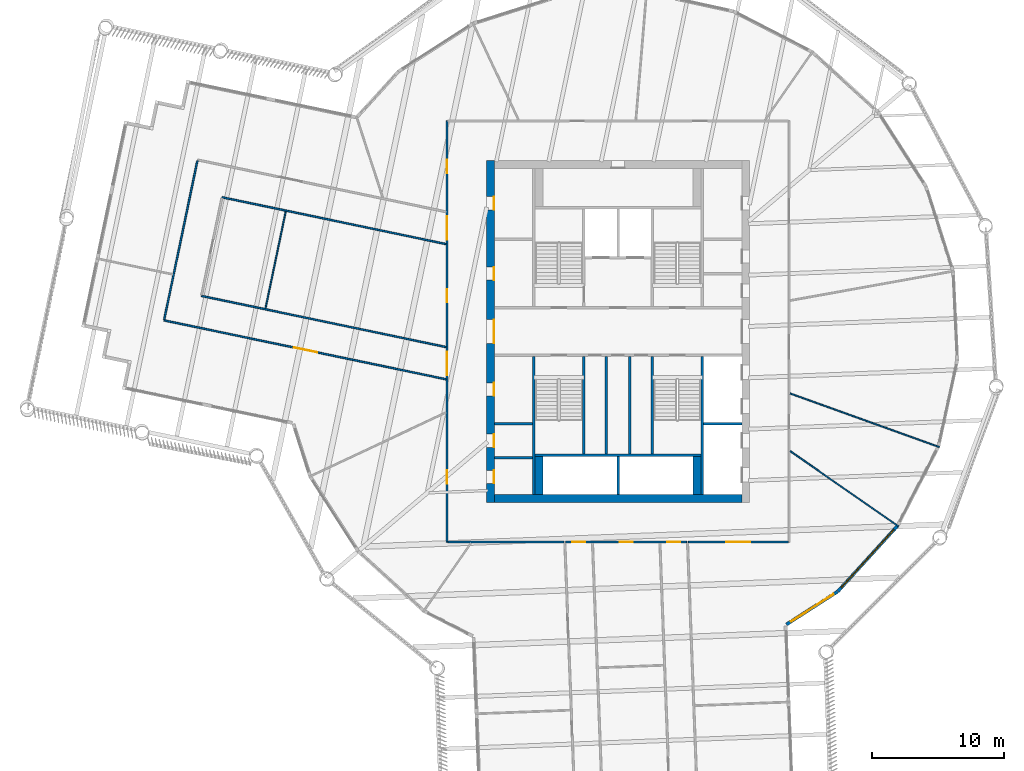
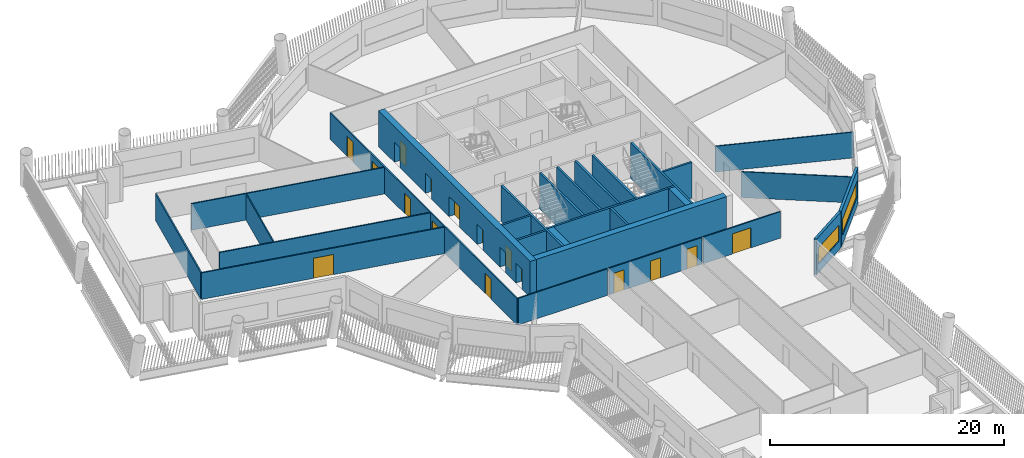
# One storey, part 4 of 14: 28 walls, 16 doors, 2 windows, 18 openings.
"""IFC4 building model written with IfcOpenShell, lengths in metres."""

from ifc_helpers import new_model, si_unit, direction, frame, frame_2d, origin, place, context, subcontext, project, spatial, rectangle, extrude, material, layer, layer_set, type_object, element, fill, save


model = new_model("IFC4")

# Units and contexts
model_context = context("Model", 3, precision=1e-05, world=origin(), true_north=direction((0.0, 1.0)))
body_context = subcontext(model_context, "Body", "Model", "MODEL_VIEW")
ifc_project = project(units=[si_unit("LENGTHUNIT", "METRE"), si_unit("AREAUNIT", "SQUARE_METRE"), si_unit("VOLUMEUNIT", "CUBIC_METRE"), si_unit("PLANEANGLEUNIT", "RADIAN"), si_unit("MASSUNIT", "GRAM", prefix="KILO")], contexts=[model_context])

# Site, building, storey
site_placement = place(None, origin())
site = spatial("IfcSite", under=ifc_project, at=site_placement, CompositionType="ELEMENT")
building_placement = place(site_placement, origin())
building = spatial("IfcBuilding", under=site, at=building_placement, Name="Tarsis Ring Headquarters", CompositionType="ELEMENT")
storey_placement = place(building_placement, frame((0.0, 0.0, 235.5)))
storey = spatial("IfcBuildingStorey", under=building, at=storey_placement, Name="L55", CompositionType="ELEMENT", Elevation=235.5)

# Walls
ifc_material_1 = material(Name="Blockwork", Category="masonry")
ifc_layer_1 = layer(ifc_material_1, 0.199951171875)
ifc_layer_set_1 = layer_set([ifc_layer_1], Name="Core blockwork wall 200")
wall_type_1 = type_object("IfcWallType", Name="Core blockwork wall 200", PredefinedType="PARTITIONING", material=ifc_layer_set_1)
for number, where, z_axis, x_axis, name in (
    (1, (-9.39990234375, -9.60009765625, 0.0), (0.0, 0.0, 1.0), (1.0, 0.0, 0.0), "Core partition WD1"),
    (2, (-9.39990234375, -7.0, 0.0), (0.0, 0.0, 1.0), (1.0, 0.0, 0.0), "Core partition WD2"),
):
    element("IfcWall", number, at=place(storey_placement, frame(where, z_axis=z_axis, x_axis=x_axis)), inside=storey, type_object=wall_type_1, Name=name, PredefinedType="PARTITIONING", context=body_context, shape_type="SweptSolid", body=[
        extrude(rectangle(XDim=2.89990234375, YDim=0.199951171875, at=frame_2d((1.449951171875, 0.0))), origin(), (0.0, 0.0, 1.0), 3.739990234375),
    ])
for number, where, z_axis, x_axis, name in (
    (3, (-0.89990234375, -9.300048828125, 0.0), (0.0, 0.0, 1.0), (0.0, 1.0, 0.0), "Core partition SV1"),
    (4, (0.89990234375, -9.300048828125, 0.0), (0.0, 0.0, 1.0), (0.0, 1.0, 0.0), "Core partition SV2"),
):
    element("IfcWall", number, at=place(storey_placement, frame(where, z_axis=z_axis, x_axis=x_axis)), inside=storey, type_object=wall_type_1, Name=name, PredefinedType="PARTITIONING", context=body_context, shape_type="SweptSolid", body=[
        extrude(rectangle(XDim=7.400146484375, YDim=0.199951171875, at=frame_2d((3.7001953125, 0.0))), origin(), (0.0, 0.0, 1.0), 3.739990234375),
    ])

# Wall, openings, doors
ifc_material_2 = material(Name="Concrete C50/60", Category="concrete")
ifc_layer_2 = layer(ifc_material_2, 0.60009765625)
ifc_layer_set_2 = layer_set([ifc_layer_2], Name="Core wall 600 C50/60")
wall_type_2 = type_object("IfcWallType", Name="Core wall 600 C50/60", PredefinedType="SHEAR", material=ifc_layer_set_2)
wall_1_placement = place(storey_placement, frame((-9.699951171875, -13.0, 0.0), z_axis=(0.0, 0.0, 1.0), x_axis=(0.0, 1.0, 0.0)))
wall_1 = element("IfcWall", 5, at=wall_1_placement, inside=storey, type_object=wall_type_2, Name="Core wall OW", PredefinedType="SHEAR", context=body_context, shape_type="SweptSolid", body=[
    extrude(rectangle(XDim=26.0, YDim=0.60009765625, at=frame_2d((13.0, 0.0))), origin(), (0.0, 0.0, 1.0), 3.739990234375),
])
opening_1_placement = place(wall_1_placement, frame((1.449951171875, 0.0, 0.0)))
opening_1 = element("IfcOpeningElement", 6, at=opening_1_placement, cuts=wall_1, Name="Opening L55-C01", PredefinedType="OPENING", context=body_context, shape_type="SweptSolid", body=[
    extrude(rectangle(XDim=1.0, YDim=2.10009765625, at=frame_2d((0.5, 1.050048828125))), frame((0.0, 0.31005859375, 0.0), z_axis=(0.0, -1.0, 0.0), x_axis=(1.0, 0.0, 0.0)), (0.0, 0.0, 1.0), 0.6201171875),
])
opening_2_placement = place(wall_1_placement, frame((4.199951171875, 0.0, 0.0)))
opening_2 = element("IfcOpeningElement", 7, at=opening_2_placement, cuts=wall_1, Name="Opening L55-C02", PredefinedType="OPENING", context=body_context, shape_type="SweptSolid", body=[
    extrude(rectangle(XDim=1.0, YDim=2.10009765625, at=frame_2d((0.5, 1.050048828125))), frame((0.0, 0.31005859375, 0.0), z_axis=(0.0, -1.0, 0.0), x_axis=(1.0, 0.0, 0.0)), (0.0, 0.0, 1.0), 0.6201171875),
])
opening_3_placement = place(wall_1_placement, frame((8.10009765625, 0.0, 0.0)))
opening_3 = element("IfcOpeningElement", 8, at=opening_3_placement, cuts=wall_1, Name="Opening L55-C03", PredefinedType="OPENING", context=body_context, shape_type="SweptSolid", body=[
    extrude(rectangle(XDim=1.0, YDim=2.10009765625, at=frame_2d((0.5, 1.050048828125))), frame((0.0, 0.31005859375, 0.0), z_axis=(0.0, -1.0, 0.0), x_axis=(1.0, 0.0, 0.0)), (0.0, 0.0, 1.0), 0.6201171875),
])
opening_4_placement = place(wall_1_placement, frame((12.10009765625, 0.0, 0.0)))
opening_4 = element("IfcOpeningElement", 9, at=opening_4_placement, cuts=wall_1, Name="Opening L55-C04", PredefinedType="OPENING", context=body_context, shape_type="SweptSolid", body=[
    extrude(rectangle(XDim=1.800048828125, YDim=2.10009765625, at=frame_2d((0.89990234375, 1.050048828125))), frame((0.0, 0.31005859375, 0.0), z_axis=(0.0, -1.0, 0.0), x_axis=(1.0, 0.0, 0.0)), (0.0, 0.0, 1.0), 0.6201171875),
])
opening_5_placement = place(wall_1_placement, frame((16.89990234375, 0.0, 0.0)))
opening_5 = element("IfcOpeningElement", 10, at=opening_5_placement, cuts=wall_1, Name="Opening L55-C05", PredefinedType="OPENING", context=body_context, shape_type="SweptSolid", body=[
    extrude(rectangle(XDim=1.0, YDim=2.10009765625, at=frame_2d((0.5, 1.050048828125))), frame((0.0, 0.31005859375, 0.0), z_axis=(0.0, -1.0, 0.0), x_axis=(1.0, 0.0, 0.0)), (0.0, 0.0, 1.0), 0.6201171875),
])
opening_6_placement = place(wall_1_placement, frame((22.25, 0.0, 0.0)))
opening_6 = element("IfcOpeningElement", 11, at=opening_6_placement, cuts=wall_1, Name="Opening L55-C06", PredefinedType="OPENING", context=body_context, shape_type="SweptSolid", body=[
    extrude(rectangle(XDim=1.0, YDim=2.10009765625, at=frame_2d((0.5, 1.050048828125))), frame((0.0, 0.31005859375, 0.0), z_axis=(0.0, -1.0, 0.0), x_axis=(1.0, 0.0, 0.0)), (0.0, 0.0, 1.0), 0.6201171875),
])
ifc_material_3 = material(Name="Steel S355", Category="steel")
door_type_1 = type_object("IfcDoorType", Name="Core entry door 1800x2100", OperationType="DOUBLE_DOOR_SINGLE_SWING", PredefinedType="DOOR", material=ifc_material_3)
door_1_placement = place(opening_4_placement, origin())
door_1 = element("IfcDoor", 12, at=door_1_placement, inside=storey, type_object=door_type_1, Name="Core entry door L55", OperationType="DOUBLE_DOOR_SINGLE_SWING", OverallHeight=2.10009765625, OverallWidth=1.800048828125, PredefinedType="DOOR", context=body_context, shape_type="SweptSolid", body=[
    extrude(rectangle(XDim=1.800048828125, YDim=2.10009765625, at=frame_2d((0.89990234375, 1.050048828125))), frame((0.0, -0.25, 0.0), z_axis=(0.0, -1.0, 0.0), x_axis=(1.0, 0.0, 0.0)), (0.0, 0.0, 1.0), 0.050048828125),
])
fill(opening_4, door_1)
door_type_2 = type_object("IfcDoorType", Name="Core room door 1000x2100", OperationType="SINGLE_SWING_LEFT", PredefinedType="DOOR", material=ifc_material_3)
door_2_placement = place(opening_1_placement, origin())
door_2 = element("IfcDoor", 13, at=door_2_placement, inside=storey, type_object=door_type_2, Name="Core room door L55", OperationType="SINGLE_SWING_LEFT", OverallHeight=2.10009765625, OverallWidth=1.0, PredefinedType="DOOR", context=body_context, shape_type="SweptSolid", body=[
    extrude(rectangle(XDim=1.0, YDim=2.10009765625, at=frame_2d((0.5, 1.050048828125))), frame((0.0, -0.25, 0.0), z_axis=(0.0, -1.0, 0.0), x_axis=(1.0, 0.0, 0.0)), (0.0, 0.0, 1.0), 0.050048828125),
])
fill(opening_1, door_2)
door_3_placement = place(opening_2_placement, origin())
door_3 = element("IfcDoor", 14, at=door_3_placement, inside=storey, type_object=door_type_2, Name="Core room door L55", OperationType="SINGLE_SWING_LEFT", OverallHeight=2.10009765625, OverallWidth=1.0, PredefinedType="DOOR", context=body_context, shape_type="SweptSolid", body=[
    extrude(rectangle(XDim=1.0, YDim=2.10009765625, at=frame_2d((0.5, 1.050048828125))), frame((0.0, -0.25, 0.0), z_axis=(0.0, -1.0, 0.0), x_axis=(1.0, 0.0, 0.0)), (0.0, 0.0, 1.0), 0.050048828125),
])
fill(opening_2, door_3)
door_4_placement = place(opening_3_placement, origin())
door_4 = element("IfcDoor", 15, at=door_4_placement, inside=storey, type_object=door_type_2, Name="Core room door L55", OperationType="SINGLE_SWING_LEFT", OverallHeight=2.10009765625, OverallWidth=1.0, PredefinedType="DOOR", context=body_context, shape_type="SweptSolid", body=[
    extrude(rectangle(XDim=1.0, YDim=2.10009765625, at=frame_2d((0.5, 1.050048828125))), frame((0.0, -0.25, 0.0), z_axis=(0.0, -1.0, 0.0), x_axis=(1.0, 0.0, 0.0)), (0.0, 0.0, 1.0), 0.050048828125),
])
fill(opening_3, door_4)
door_5_placement = place(opening_5_placement, origin())
door_5 = element("IfcDoor", 16, at=door_5_placement, inside=storey, type_object=door_type_2, Name="Core room door L55", OperationType="SINGLE_SWING_LEFT", OverallHeight=2.10009765625, OverallWidth=1.0, PredefinedType="DOOR", context=body_context, shape_type="SweptSolid", body=[
    extrude(rectangle(XDim=1.0, YDim=2.10009765625, at=frame_2d((0.5, 1.050048828125))), frame((0.0, -0.25, 0.0), z_axis=(0.0, -1.0, 0.0), x_axis=(1.0, 0.0, 0.0)), (0.0, 0.0, 1.0), 0.050048828125),
])
fill(opening_5, door_5)
door_6_placement = place(opening_6_placement, origin())
door_6 = element("IfcDoor", 17, at=door_6_placement, inside=storey, type_object=door_type_2, Name="Core room door L55", OperationType="SINGLE_SWING_LEFT", OverallHeight=2.10009765625, OverallWidth=1.0, PredefinedType="DOOR", context=body_context, shape_type="SweptSolid", body=[
    extrude(rectangle(XDim=1.0, YDim=2.10009765625, at=frame_2d((0.5, 1.050048828125))), frame((0.0, -0.25, 0.0), z_axis=(0.0, -1.0, 0.0), x_axis=(1.0, 0.0, 0.0)), (0.0, 0.0, 1.0), 0.050048828125),
])
fill(opening_6, door_6)

# Walls
wall_2_placement = place(storey_placement, frame((-9.39990234375, -12.699951171875, 0.0), z_axis=(0.0, 0.0, 1.0), x_axis=(1.0, 0.0, 0.0)))
element("IfcWall", 18, at=wall_2_placement, inside=storey, type_object=wall_type_2, Name="Core wall OS", PredefinedType="SHEAR", context=body_context, shape_type="SweptSolid", body=[
    extrude(rectangle(XDim=18.7998046875, YDim=0.60009765625, at=frame_2d((9.39990234375, 0.0))), origin(), (0.0, 0.0, 1.0), 3.739990234375),
])
ifc_material_4 = material(Name="Gypsum board on steel studs", Category="steel")
ifc_layer_3 = layer(ifc_material_4, 0.10009765625)
ifc_layer_set_3 = layer_set([ifc_layer_3], Name="FL partition 100 unrated")
wall_type_3 = type_object("IfcWallType", Name="FL partition 100 unrated", PredefinedType="PARTITIONING", material=ifc_layer_set_3)
wall_3_placement = place(storey_placement, frame((13.0751953125, -4.70751953125, 0.0), z_axis=(0.0, 0.0, 1.0), x_axis=(0.94088405447, -0.338728794237, 0.0)))
element("IfcWall", 19, at=wall_3_placement, inside=storey, type_object=wall_type_3, Name="Partition PW3", PredefinedType="PARTITIONING", context=body_context, shape_type="SweptSolid", body=[
    extrude(rectangle(XDim=12.051025390625, YDim=0.10009765625, at=frame_2d((6.025390625, 0.0))), origin(), (0.0, 0.0, 1.0), 2.699951171875),
])
wall_4_placement = place(storey_placement, frame((13.08203125, -9.09228515625, 0.0), z_axis=(0.0, 0.0, 1.0), x_axis=(0.82115103645, -0.570710938512, 0.0)))
element("IfcWall", 20, at=wall_4_placement, inside=storey, type_object=wall_type_3, Name="Partition PW3", PredefinedType="PARTITIONING", context=body_context, shape_type="SweptSolid", body=[
    extrude(rectangle(XDim=10.0166015625, YDim=0.10009765625, at=frame_2d((5.00830078125, 0.0))), origin(), (0.0, 0.0, 1.0), 2.699951171875),
])
wall_5_placement = place(storey_placement, frame((-26.797119140625, 1.757080078125, 0.0), z_axis=(0.0, 0.0, 1.0), x_axis=(0.204500031343, 0.978866557392, 0.0)))
element("IfcWall", 21, at=wall_5_placement, inside=storey, type_object=wall_type_3, Name="Partition PW3", PredefinedType="PARTITIONING", context=body_context, shape_type="SweptSolid", body=[
    extrude(rectangle(XDim=7.52001953125, YDim=0.10009765625, at=frame_2d((3.760009765625, 0.0))), origin(), (0.0, 0.0, 1.0), 2.699951171875),
])

# Wall, openings, doors
ifc_layer_4 = layer(ifc_material_4, 0.125)
ifc_layer_set_4 = layer_set([ifc_layer_4], Name="FL partition 125 EI 60 H2770")
wall_type_4 = type_object("IfcWallType", Name="FL partition 125 EI 60 H2770", PredefinedType="PARTITIONING", material=ifc_layer_set_4)
wall_6_placement = place(storey_placement, frame((-13.0, -16.0, 0.0), z_axis=(0.0, 0.0, 1.0), x_axis=(0.0, 1.0, 0.0)))
wall_6 = element("IfcWall", 22, at=wall_6_placement, inside=storey, type_object=wall_type_4, Name="Partition PW1", PredefinedType="PARTITIONING", context=body_context, shape_type="SweptSolid", body=[
    extrude(rectangle(XDim=32.0, YDim=0.125, at=frame_2d((16.0, 0.0))), origin(), (0.0, 0.0, 1.0), 2.77001953125),
])
opening_7_placement = place(wall_6_placement, frame((28.040283203125, 0.0, 0.0)))
opening_7 = element("IfcOpeningElement", 23, at=opening_7_placement, cuts=wall_6, Name="Opening D55.03", PredefinedType="OPENING", context=body_context, shape_type="SweptSolid", body=[
    extrude(rectangle(XDim=1.0, YDim=2.10009765625, at=frame_2d((0.5, 1.050048828125))), frame((0.0, 0.072509765625, 0.0), z_axis=(0.0, -1.0, 0.0), x_axis=(1.0, 0.0, 0.0)), (0.0, 0.0, 1.0), 0.14501953125),
])
opening_8_placement = place(wall_6_placement, frame((4.44140625, 0.0, 0.0)))
opening_8 = element("IfcOpeningElement", 24, at=opening_8_placement, cuts=wall_6, Name="Opening D55.14", PredefinedType="OPENING", context=body_context, shape_type="SweptSolid", body=[
    extrude(rectangle(XDim=1.0, YDim=2.10009765625, at=frame_2d((0.5, 1.050048828125))), frame((0.0, 0.072509765625, 0.0), z_axis=(0.0, -1.0, 0.0), x_axis=(1.0, 0.0, 0.0)), (0.0, 0.0, 1.0), 0.14501953125),
])
opening_9_placement = place(wall_6_placement, frame((18.2158203125, 0.0, 0.0)))
opening_9 = element("IfcOpeningElement", 25, at=opening_9_placement, cuts=wall_6, Name="Opening D55.15", PredefinedType="OPENING", context=body_context, shape_type="SweptSolid", body=[
    extrude(rectangle(XDim=1.0, YDim=2.10009765625, at=frame_2d((0.5, 1.050048828125))), frame((0.0, 0.072509765625, 0.0), z_axis=(0.0, -1.0, 0.0), x_axis=(1.0, 0.0, 0.0)), (0.0, 0.0, 1.0), 0.14501953125),
])
opening_10_placement = place(wall_6_placement, frame((12.67724609375, 0.0, 0.0)))
opening_10 = element("IfcOpeningElement", 26, at=opening_10_placement, cuts=wall_6, Name="Opening D55.21", PredefinedType="OPENING", context=body_context, shape_type="SweptSolid", body=[
    extrude(rectangle(XDim=1.800048828125, YDim=2.10009765625, at=frame_2d((0.89990234375, 1.050048828125))), frame((0.0, 0.072509765625, 0.0), z_axis=(0.0, -1.0, 0.0), x_axis=(1.0, 0.0, 0.0)), (0.0, 0.0, 1.0), 0.14501953125),
])
opening_11_placement = place(wall_6_placement, frame((22.954345703125, 0.0, 0.0)))
opening_11 = element("IfcOpeningElement", 27, at=opening_11_placement, cuts=wall_6, Name="Opening D55.22", PredefinedType="OPENING", context=body_context, shape_type="SweptSolid", body=[
    extrude(rectangle(XDim=1.800048828125, YDim=2.10009765625, at=frame_2d((0.89990234375, 1.050048828125))), frame((0.0, 0.072509765625, 0.0), z_axis=(0.0, -1.0, 0.0), x_axis=(1.0, 0.0, 0.0)), (0.0, 0.0, 1.0), 0.14501953125),
])
ifc_material_5 = material(Name="Fire-rated timber door leaf in steel frame", Category="steel")
door_type_3 = type_object("IfcDoorType", Name="FL door FD60-1000", OperationType="NOTDEFINED", PredefinedType="DOOR", material=ifc_material_5)
door_7_placement = place(opening_7_placement, origin())
door_7 = element("IfcDoor", 28, at=door_7_placement, inside=storey, type_object=door_type_3, Name="Door D55.03", OperationType="SINGLE_SWING_RIGHT", OverallHeight=2.10009765625, OverallWidth=1.0, PredefinedType="DOOR", context=body_context, shape_type="SweptSolid", body=[
    extrude(rectangle(XDim=1.0, YDim=2.10009765625, at=frame_2d((0.5, 1.050048828125))), frame((0.0, 0.02490234375, 0.0), z_axis=(0.0, -1.0, 0.0), x_axis=(1.0, 0.0, 0.0)), (0.0, 0.0, 1.0), 0.050048828125),
])
fill(opening_7, door_7)
door_8_placement = place(opening_8_placement, origin())
door_8 = element("IfcDoor", 29, at=door_8_placement, inside=storey, type_object=door_type_3, Name="Door D55.14", OperationType="SINGLE_SWING_LEFT", OverallHeight=2.10009765625, OverallWidth=1.0, PredefinedType="DOOR", context=body_context, shape_type="SweptSolid", body=[
    extrude(rectangle(XDim=1.0, YDim=2.10009765625, at=frame_2d((0.5, 1.050048828125))), frame((0.0, 0.02490234375, 0.0), z_axis=(0.0, -1.0, 0.0), x_axis=(1.0, 0.0, 0.0)), (0.0, 0.0, 1.0), 0.050048828125),
])
fill(opening_8, door_8)
door_9_placement = place(opening_9_placement, origin())
door_9 = element("IfcDoor", 30, at=door_9_placement, inside=storey, type_object=door_type_3, Name="Door D55.15", OperationType="SINGLE_SWING_RIGHT", OverallHeight=2.10009765625, OverallWidth=1.0, PredefinedType="DOOR", context=body_context, shape_type="SweptSolid", body=[
    extrude(rectangle(XDim=1.0, YDim=2.10009765625, at=frame_2d((0.5, 1.050048828125))), frame((0.0, 0.02490234375, 0.0), z_axis=(0.0, -1.0, 0.0), x_axis=(1.0, 0.0, 0.0)), (0.0, 0.0, 1.0), 0.050048828125),
])
fill(opening_9, door_9)
door_type_4 = type_object("IfcDoorType", Name="FL door FD60-1800", OperationType="DOUBLE_DOOR_SINGLE_SWING", PredefinedType="DOOR", material=ifc_material_5)
door_10_placement = place(opening_10_placement, origin())
door_10 = element("IfcDoor", 31, at=door_10_placement, inside=storey, type_object=door_type_4, Name="Door D55.21", OperationType="DOUBLE_DOOR_SINGLE_SWING", OverallHeight=2.10009765625, OverallWidth=1.800048828125, PredefinedType="DOOR", context=body_context, shape_type="SweptSolid", body=[
    extrude(rectangle(XDim=1.800048828125, YDim=2.10009765625, at=frame_2d((0.89990234375, 1.050048828125))), frame((0.0, 0.02490234375, 0.0), z_axis=(0.0, -1.0, 0.0), x_axis=(1.0, 0.0, 0.0)), (0.0, 0.0, 1.0), 0.050048828125),
])
fill(opening_10, door_10)
door_11_placement = place(opening_11_placement, origin())
door_11 = element("IfcDoor", 32, at=door_11_placement, inside=storey, type_object=door_type_4, Name="Door D55.22", OperationType="DOUBLE_DOOR_SINGLE_SWING", OverallHeight=2.10009765625, OverallWidth=1.800048828125, PredefinedType="DOOR", context=body_context, shape_type="SweptSolid", body=[
    extrude(rectangle(XDim=1.800048828125, YDim=2.10009765625, at=frame_2d((0.89990234375, 1.050048828125))), frame((0.0, 0.02490234375, 0.0), z_axis=(0.0, -1.0, 0.0), x_axis=(1.0, 0.0, 0.0)), (0.0, 0.0, 1.0), 0.050048828125),
])
fill(opening_11, door_11)

# Wall
wall_7_placement = place(storey_placement, frame((-12.93994140625, -16.0, 0.0), z_axis=(0.0, 0.0, 1.0), x_axis=(1.0, 0.0, 0.0)))
element("IfcWall", 33, at=wall_7_placement, inside=storey, type_object=wall_type_4, Name="Partition PW1", PredefinedType="PARTITIONING", context=body_context, shape_type="SweptSolid", body=[
    extrude(rectangle(XDim=8.828857421875, YDim=0.125, at=frame_2d((4.41455078125, 0.0))), origin(), (0.0, 0.0, 1.0), 2.77001953125),
])

# Wall, openings, doors
wall_8_placement = place(storey_placement, frame((-3.98388671875, -16.0, 0.0), z_axis=(0.0, 0.0, 1.0), x_axis=(1.0, 0.0, 0.0)))
wall_8 = element("IfcWall", 34, at=wall_8_placement, inside=storey, type_object=wall_type_4, Name="Partition PW1", PredefinedType="PARTITIONING", context=body_context, shape_type="SweptSolid", body=[
    extrude(rectangle(XDim=9.199462890625, YDim=0.125, at=frame_2d((4.599609375, 0.0))), origin(), (0.0, 0.0, 1.0), 2.77001953125),
])
opening_12_placement = place(wall_8_placement, frame((4.098388671875, 0.0, 0.0)))
opening_12 = element("IfcOpeningElement", 35, at=opening_12_placement, cuts=wall_8, Name="Opening D55.17", PredefinedType="OPENING", context=body_context, shape_type="SweptSolid", body=[
    extrude(rectangle(XDim=1.0, YDim=2.10009765625, at=frame_2d((0.5, 1.050048828125))), frame((0.0, 0.072509765625, 0.0), z_axis=(0.0, -1.0, 0.0), x_axis=(1.0, 0.0, 0.0)), (0.0, 0.0, 1.0), 0.14501953125),
])
opening_13_placement = place(wall_8_placement, frame((0.48583984375, 0.0, 0.0)))
opening_13 = element("IfcOpeningElement", 36, at=opening_13_placement, cuts=wall_8, Name="Opening D55.19", PredefinedType="OPENING", context=body_context, shape_type="SweptSolid", body=[
    extrude(rectangle(XDim=1.0, YDim=2.10009765625, at=frame_2d((0.5, 1.050048828125))), frame((0.0, 0.072509765625, 0.0), z_axis=(0.0, -1.0, 0.0), x_axis=(1.0, 0.0, 0.0)), (0.0, 0.0, 1.0), 0.14501953125),
])
opening_14_placement = place(wall_8_placement, frame((7.711181640625, 0.0, 0.0)))
opening_14 = element("IfcOpeningElement", 37, at=opening_14_placement, cuts=wall_8, Name="Opening D55.20", PredefinedType="OPENING", context=body_context, shape_type="SweptSolid", body=[
    extrude(rectangle(XDim=1.0, YDim=2.10009765625, at=frame_2d((0.5, 1.050048828125))), frame((0.0, 0.072509765625, 0.0), z_axis=(0.0, -1.0, 0.0), x_axis=(1.0, 0.0, 0.0)), (0.0, 0.0, 1.0), 0.14501953125),
])
door_12_placement = place(opening_12_placement, origin())
door_12 = element("IfcDoor", 38, at=door_12_placement, inside=storey, type_object=door_type_3, Name="Door D55.17", OperationType="SINGLE_SWING_RIGHT", OverallHeight=2.10009765625, OverallWidth=1.0, PredefinedType="DOOR", context=body_context, shape_type="SweptSolid", body=[
    extrude(rectangle(XDim=1.0, YDim=2.10009765625, at=frame_2d((0.5, 1.050048828125))), frame((0.0, 0.02490234375, 0.0), z_axis=(0.0, -1.0, 0.0), x_axis=(1.0, 0.0, 0.0)), (0.0, 0.0, 1.0), 0.050048828125),
])
fill(opening_12, door_12)
door_13_placement = place(opening_13_placement, origin())
door_13 = element("IfcDoor", 39, at=door_13_placement, inside=storey, type_object=door_type_3, Name="Door D55.19", OperationType="SINGLE_SWING_RIGHT", OverallHeight=2.10009765625, OverallWidth=1.0, PredefinedType="DOOR", context=body_context, shape_type="SweptSolid", body=[
    extrude(rectangle(XDim=1.0, YDim=2.10009765625, at=frame_2d((0.5, 1.050048828125))), frame((0.0, 0.02490234375, 0.0), z_axis=(0.0, -1.0, 0.0), x_axis=(1.0, 0.0, 0.0)), (0.0, 0.0, 1.0), 0.050048828125),
])
fill(opening_13, door_13)
door_14_placement = place(opening_14_placement, origin())
door_14 = element("IfcDoor", 40, at=door_14_placement, inside=storey, type_object=door_type_3, Name="Door D55.20", OperationType="SINGLE_SWING_LEFT", OverallHeight=2.10009765625, OverallWidth=1.0, PredefinedType="DOOR", context=body_context, shape_type="SweptSolid", body=[
    extrude(rectangle(XDim=1.0, YDim=2.10009765625, at=frame_2d((0.5, 1.050048828125))), frame((0.0, 0.02490234375, 0.0), z_axis=(0.0, -1.0, 0.0), x_axis=(1.0, 0.0, 0.0)), (0.0, 0.0, 1.0), 0.050048828125),
])
fill(opening_14, door_14)

# Wall, opening, door
wall_9_placement = place(storey_placement, frame((5.343017578125, -16.0, 0.0), z_axis=(0.0, 0.0, 1.0), x_axis=(1.0, 0.0, 0.0)))
wall_9 = element("IfcWall", 41, at=wall_9_placement, inside=storey, type_object=wall_type_4, Name="Partition PW1", PredefinedType="PARTITIONING", context=body_context, shape_type="SweptSolid", body=[
    extrude(rectangle(XDim=7.596923828125, YDim=0.125, at=frame_2d((3.79833984375, 0.0))), origin(), (0.0, 0.0, 1.0), 2.77001953125),
])
opening_15_placement = place(wall_9_placement, frame((2.89599609375, 0.0, 0.0)))
opening_15 = element("IfcOpeningElement", 42, at=opening_15_placement, cuts=wall_9, Name="Opening D55.09", PredefinedType="OPENING", context=body_context, shape_type="SweptSolid", body=[
    extrude(rectangle(XDim=1.800048828125, YDim=2.10009765625, at=frame_2d((0.89990234375, 1.050048828125))), frame((0.0, 0.072509765625, 0.0), z_axis=(0.0, -1.0, 0.0), x_axis=(1.0, 0.0, 0.0)), (0.0, 0.0, 1.0), 0.14501953125),
])
door_15_placement = place(opening_15_placement, origin())
door_15 = element("IfcDoor", 43, at=door_15_placement, inside=storey, type_object=door_type_4, Name="Door D55.09", OperationType="DOUBLE_DOOR_SINGLE_SWING", OverallHeight=2.10009765625, OverallWidth=1.800048828125, PredefinedType="DOOR", context=body_context, shape_type="SweptSolid", body=[
    extrude(rectangle(XDim=1.800048828125, YDim=2.10009765625, at=frame_2d((0.89990234375, 1.050048828125))), frame((0.0, 0.02490234375, 0.0), z_axis=(0.0, -1.0, 0.0), x_axis=(1.0, 0.0, 0.0)), (0.0, 0.0, 1.0), 0.050048828125),
])
fill(opening_15, door_15)

wall_10_placement = place(storey_placement, frame((-34.506591796875, 0.84423828125, 0.0), z_axis=(0.0, 0.0, 1.0), x_axis=(0.97886842583, -0.204491087614, 0.0)))
wall_10 = element("IfcWall", 44, at=wall_10_placement, inside=storey, type_object=wall_type_4, Name="Partition PW1", PredefinedType="PARTITIONING", context=body_context, shape_type="SweptSolid", body=[
    extrude(rectangle(XDim=21.90087890625, YDim=0.125, at=frame_2d((10.950439453125, 0.0))), origin(), (0.0, 0.0, 1.0), 2.77001953125),
])
opening_16_placement = place(wall_10_placement, frame((10.08544921875, 0.0, 0.0)))
opening_16 = element("IfcOpeningElement", 45, at=opening_16_placement, cuts=wall_10, Name="Opening D55.01", PredefinedType="OPENING", context=body_context, shape_type="SweptSolid", body=[
    extrude(rectangle(XDim=1.800048828125, YDim=2.10009765625, at=frame_2d((0.89990234375, 1.050048828125))), frame((0.0, 0.072509765625, 0.0), z_axis=(0.0, -1.0, 0.0), x_axis=(1.0, 0.0, 0.0)), (0.0, 0.0, 1.0), 0.14501953125),
])
door_16_placement = place(opening_16_placement, origin())
door_16 = element("IfcDoor", 46, at=door_16_placement, inside=storey, type_object=door_type_4, Name="Door D55.01", OperationType="DOUBLE_DOOR_SINGLE_SWING", OverallHeight=2.10009765625, OverallWidth=1.800048828125, PredefinedType="DOOR", context=body_context, shape_type="SweptSolid", body=[
    extrude(rectangle(XDim=1.800048828125, YDim=2.10009765625, at=frame_2d((0.89990234375, 1.050048828125))), frame((0.0, 0.02490234375, 0.0), z_axis=(0.0, -1.0, 0.0), x_axis=(1.0, 0.0, 0.0)), (0.0, 0.0, 1.0), 0.050048828125),
])
fill(opening_16, door_16)

# Walls
wall_11_placement = place(storey_placement, frame((-31.66650390625, 2.702880859375, 0.0), z_axis=(0.0, 0.0, 1.0), x_axis=(0.97886534235, -0.204505847218, 0.0)))
element("IfcWall", 47, at=wall_11_placement, inside=storey, type_object=wall_type_4, Name="Partition PW1", PredefinedType="PARTITIONING", context=body_context, shape_type="SweptSolid", body=[
    extrude(rectangle(XDim=18.99951171875, YDim=0.125, at=frame_2d((9.499755859375, 0.0))), origin(), (0.0, 0.0, 1.0), 2.77001953125),
])
wall_12_placement = place(storey_placement, frame((-30.10009765625, 10.200927734375, 0.0), z_axis=(0.0, 0.0, 1.0), x_axis=(0.978866917451, -0.204498307864, 0.0)))
element("IfcWall", 48, at=wall_12_placement, inside=storey, type_object=wall_type_4, Name="Partition PW1", PredefinedType="PARTITIONING", context=body_context, shape_type="SweptSolid", body=[
    extrude(rectangle(XDim=17.399169921875, YDim=0.125, at=frame_2d((8.69970703125, 0.0))), origin(), (0.0, 0.0, 1.0), 2.77001953125),
])
wall_13_placement = place(storey_placement, frame((-34.494384765625, 0.903076171875, 0.0), z_axis=(0.0, 0.0, 1.0), x_axis=(0.204509628275, 0.978864552399, 0.0)))
element("IfcWall", 49, at=wall_13_placement, inside=storey, type_object=wall_type_4, Name="Partition PW1", PredefinedType="PARTITIONING", context=body_context, shape_type="SweptSolid", body=[
    extrude(rectangle(XDim=12.340087890625, YDim=0.125, at=frame_2d((6.169921875, 0.0))), origin(), (0.0, 0.0, 1.0), 2.77001953125),
])

# Wall, opening, window
ifc_material_6 = material(Name="Terracotta clad insulated panel wall", Category="masonry")
ifc_layer_5 = layer(ifc_material_6, 0.25)
ifc_layer_set_5 = layer_set([ifc_layer_5], Name="Facade wall terracotta panel 250")
wall_type_5 = type_object("IfcWallType", Name="Facade wall terracotta panel 250", PredefinedType="STANDARD", material=ifc_layer_set_5)
wall_14_placement = place(storey_placement, frame((12.80078125, -22.26611328125, 0.0), z_axis=(0.0, 0.0, 1.0), x_axis=(0.841499542858, 0.540257826755, 0.0)))
wall_14 = element("IfcWall", 50, at=wall_14_placement, inside=storey, type_object=wall_type_5, Name="External wall L55-17", PredefinedType="STANDARD", context=body_context, shape_type="SweptSolid", body=[
    extrude(rectangle(XDim=4.617919921875, YDim=0.25, at=frame_2d((2.30908203125, 0.0))), origin(), (0.0, 0.0, 1.0), 3.739990234375),
])
opening_17_placement = place(wall_14_placement, frame((0.400390625, 0.0, 0.89990234375)))
opening_17 = element("IfcOpeningElement", 51, at=opening_17_placement, cuts=wall_14, Name="Opening WN02", PredefinedType="OPENING", context=body_context, shape_type="SweptSolid", body=[
    extrude(rectangle(XDim=3.85009765625, YDim=1.699951171875, at=frame_2d((1.925048828125, 0.85009765625))), frame((0.0, 0.135009765625, 0.0), z_axis=(0.0, -1.0, 0.0), x_axis=(1.0, 0.0, 0.0)), (0.0, 0.0, 1.0), 0.27001953125),
])
ifc_material_7 = material(Name="Aluminium framed double glazing", Category="aluminium")
window_type_1 = type_object("IfcWindowType", Name="Facade window 3850 x 1700", PartitioningType="SINGLE_PANEL", PredefinedType="WINDOW", material=ifc_material_7)
window_1_placement = place(opening_17_placement, origin())
window_1 = element("IfcWindow", 52, at=window_1_placement, inside=storey, type_object=window_type_1, Name="Window L55-17.1", OverallHeight=1.699951171875, OverallWidth=3.85009765625, PartitioningType="SINGLE_PANEL", PredefinedType="WINDOW", context=body_context, shape_type="SweptSolid", body=[
    extrude(rectangle(XDim=3.85009765625, YDim=1.699951171875, at=frame_2d((1.925048828125, 0.85009765625))), frame((0.0, 0.030029296875, 0.0), z_axis=(0.0, -1.0, 0.0), x_axis=(1.0, 0.0, 0.0)), (0.0, 0.0, 1.0), 0.06005859375),
])
fill(opening_17, window_1)

wall_15_placement = place(storey_placement, frame((16.711669921875, -19.750244140625, 0.0), z_axis=(0.0, 0.0, 1.0), x_axis=(0.673014414109, 0.739629365562, 0.0)))
wall_15 = element("IfcWall", 53, at=wall_15_placement, inside=storey, type_object=wall_type_5, Name="External wall L55-18", PredefinedType="STANDARD", context=body_context, shape_type="SweptSolid", body=[
    extrude(rectangle(XDim=6.721435546875, YDim=0.25, at=frame_2d((3.36083984375, 0.0))), origin(), (0.0, 0.0, 1.0), 3.739990234375),
])
opening_18_placement = place(wall_15_placement, frame((0.3857421875, 0.0, 0.89990234375)))
opening_18 = element("IfcOpeningElement", 54, at=opening_18_placement, cuts=wall_15, Name="Opening WN07", PredefinedType="OPENING", context=body_context, shape_type="SweptSolid", body=[
    extrude(rectangle(XDim=5.949951171875, YDim=1.699951171875, at=frame_2d((2.97509765625, 0.85009765625))), frame((0.0, 0.135009765625, 0.0), z_axis=(0.0, -1.0, 0.0), x_axis=(1.0, 0.0, 0.0)), (0.0, 0.0, 1.0), 0.27001953125),
])
window_type_2 = type_object("IfcWindowType", Name="Facade window 5950 x 1700", PartitioningType="SINGLE_PANEL", PredefinedType="WINDOW", material=ifc_material_7)
window_2_placement = place(opening_18_placement, origin())
window_2 = element("IfcWindow", 55, at=window_2_placement, inside=storey, type_object=window_type_2, Name="Window L55-18.1", OverallHeight=1.699951171875, OverallWidth=5.949951171875, PartitioningType="SINGLE_PANEL", PredefinedType="WINDOW", context=body_context, shape_type="SweptSolid", body=[
    extrude(rectangle(XDim=5.949951171875, YDim=1.699951171875, at=frame_2d((2.97509765625, 0.85009765625))), frame((0.0, 0.030029296875, 0.0), z_axis=(0.0, -1.0, 0.0), x_axis=(1.0, 0.0, 0.0)), (0.0, 0.0, 1.0), 0.06005859375),
])
fill(opening_18, window_2)

# Walls
ifc_material_8 = material(Name="Concrete C32/40", Category="concrete")
ifc_layer_6 = layer(ifc_material_8, 0.60009765625)
ifc_layer_set_6 = layer_set([ifc_layer_6], Name="Shaft end wall 600 C32/40")
wall_type_6 = type_object("IfcWallType", Name="Shaft end wall 600 C32/40", PredefinedType="SOLIDWALL", material=ifc_layer_set_6)
for number, where, z_axis, x_axis, name in (
    (56, (-6.0, -12.39990234375, 0.0), (0.0, 0.0, 1.0), (0.0, 1.0, 0.0), "Core shaft wall SNE1"),
    (57, (6.0, -12.39990234375, 0.0), (0.0, 0.0, 1.0), (0.0, 1.0, 0.0), "Core shaft wall SNE2"),
):
    element("IfcWall", number, at=place(storey_placement, frame(where, z_axis=z_axis, x_axis=x_axis)), inside=storey, type_object=wall_type_6, Name=name, PredefinedType="SOLIDWALL", context=body_context, shape_type="SweptSolid", body=[
        extrude(rectangle(XDim=2.89990234375, YDim=0.60009765625, at=frame_2d((1.449951171875, 0.0))), origin(), (0.0, 0.0, 1.0), 3.739990234375),
    ])
ifc_layer_7 = layer(ifc_material_8, 0.199951171875)
ifc_layer_set_7 = layer_set([ifc_layer_7], Name="Shaft wall 200 C32/40")
wall_type_7 = type_object("IfcWallType", Name="Shaft wall 200 C32/40", PredefinedType="SOLIDWALL", material=ifc_layer_set_7)
for number, where, z_axis, x_axis, name in (
    (58, (-6.39990234375, -12.39990234375, 0.0), (0.0, 0.0, 1.0), (0.0, 1.0, 0.0), "Core shaft wall WB1"),
    (59, (6.39990234375, -12.39990234375, 0.0), (0.0, 0.0, 1.0), (0.0, 1.0, 0.0), "Core shaft wall EB1"),
):
    element("IfcWall", number, at=place(storey_placement, frame(where, z_axis=z_axis, x_axis=x_axis)), inside=storey, type_object=wall_type_7, Name=name, PredefinedType="SOLIDWALL", context=body_context, shape_type="SweptSolid", body=[
        extrude(rectangle(XDim=10.5, YDim=0.199951171875, at=frame_2d((5.25, 0.0))), origin(), (0.0, 0.0, 1.0), 3.739990234375),
    ])
wall_16_placement = place(storey_placement, frame((-6.300048828125, -9.39990234375, 0.0), z_axis=(0.0, 0.0, 1.0), x_axis=(1.0, 0.0, 0.0)))
element("IfcWall", 60, at=wall_16_placement, inside=storey, type_object=wall_type_7, Name="Core shaft wall SB", PredefinedType="SOLIDWALL", context=body_context, shape_type="SweptSolid", body=[
    extrude(rectangle(XDim=12.60009765625, YDim=0.199951171875, at=frame_2d((6.300048828125, 0.0))), origin(), (0.0, 0.0, 1.0), 3.739990234375),
])
for number, where, z_axis, x_axis, name in (
    (61, (-2.60009765625, -9.300048828125, 0.0), (0.0, 0.0, 1.0), (0.0, 1.0, 0.0), "Core shaft wall SW3"),
    (62, (2.60009765625, -9.300048828125, 0.0), (0.0, 0.0, 1.0), (0.0, 1.0, 0.0), "Core shaft wall SW4"),
):
    element("IfcWall", number, at=place(storey_placement, frame(where, z_axis=z_axis, x_axis=x_axis)), inside=storey, type_object=wall_type_7, Name=name, PredefinedType="SOLIDWALL", context=body_context, shape_type="SweptSolid", body=[
        extrude(rectangle(XDim=7.400146484375, YDim=0.199951171875, at=frame_2d((3.7001953125, 0.0))), origin(), (0.0, 0.0, 1.0), 3.739990234375),
    ])
for number, where, z_axis, x_axis, name in (
    (63, (6.5, -7.0, 0.0), (0.0, 0.0, 1.0), (1.0, 0.0, 0.0), "Core shaft wall ED2"),
    (64, (0.0, -12.39990234375, 0.0), (0.0, 0.0, 1.0), (0.0, 1.0, 0.0), "Core shaft wall SD2"),
):
    element("IfcWall", number, at=place(storey_placement, frame(where, z_axis=z_axis, x_axis=x_axis)), inside=storey, type_object=wall_type_7, Name=name, PredefinedType="SOLIDWALL", context=body_context, shape_type="SweptSolid", body=[
        extrude(rectangle(XDim=2.89990234375, YDim=0.199951171875, at=frame_2d((1.449951171875, 0.0))), origin(), (0.0, 0.0, 1.0), 3.739990234375),
    ])

save(model, "model.ifc")
